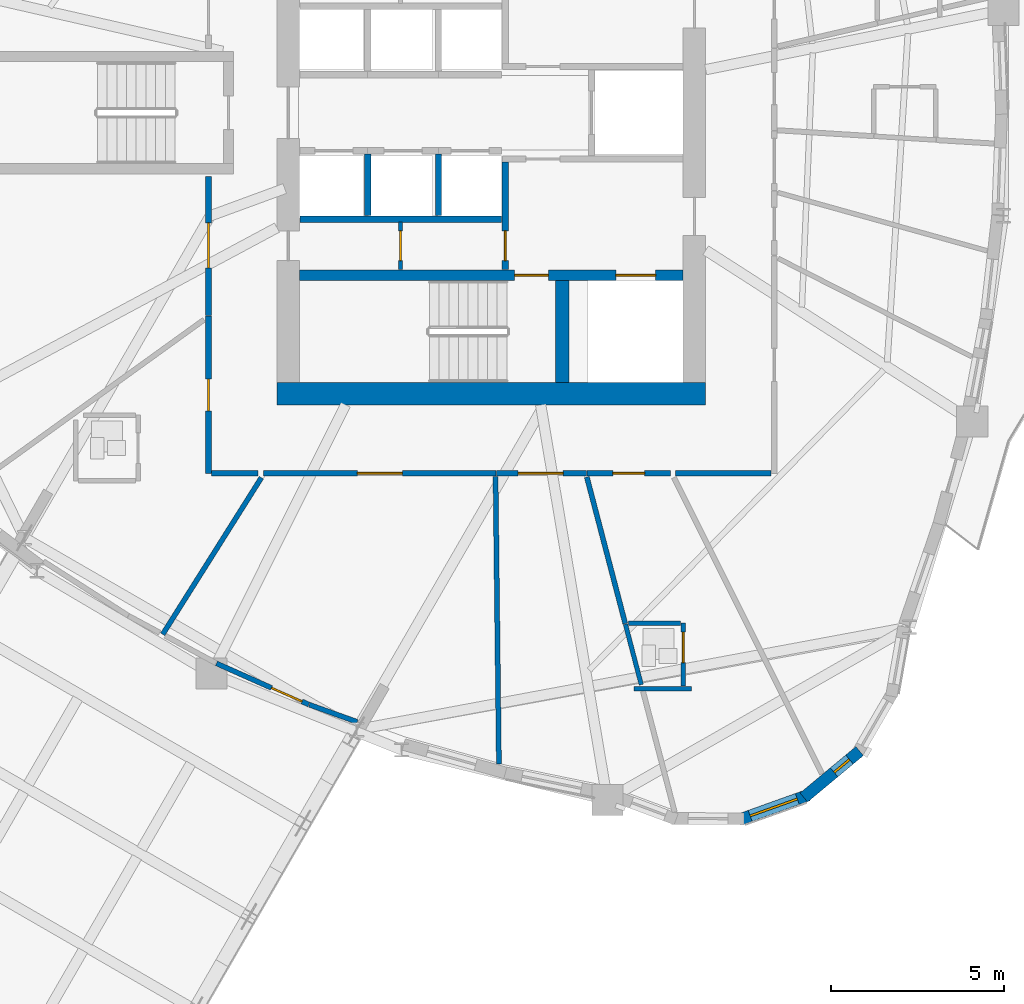
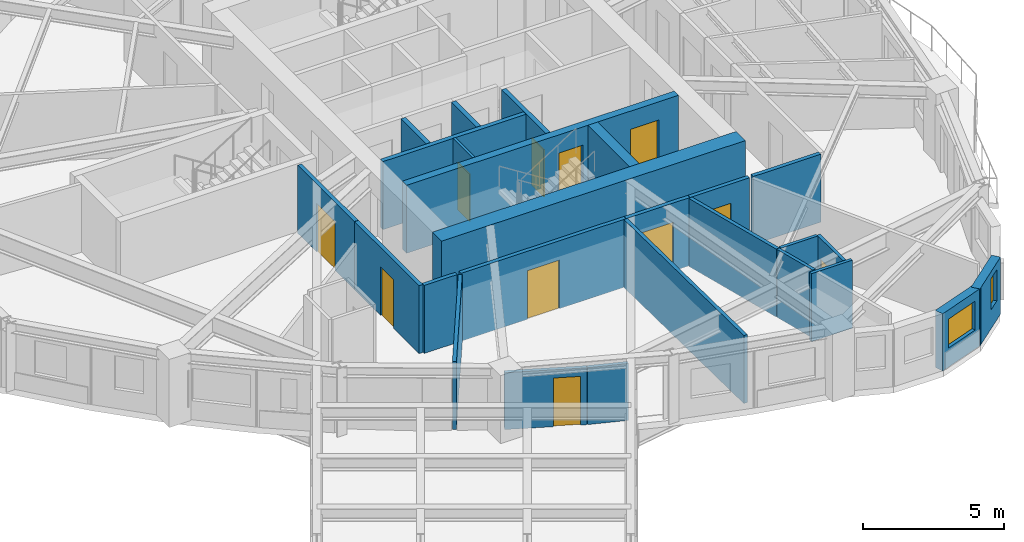
# One storey, part 6 of 17: 26 walls, 11 doors, 2 windows, 13 openings.
"""IFC4 building model written with IfcOpenShell, lengths in metres."""

from ifc_helpers import new_model, si_unit, direction, frame, frame_2d, origin, place, context, subcontext, project, spatial, rectangle, extrude, source, transform, mapped, material, layer, layer_set, type_object, element, fill, save


model = new_model("IFC4")

# Units and contexts
model_context = context("Model", 3, precision=1e-05, world=origin(), true_north=direction((0.0, 1.0)))
body_context = subcontext(model_context, "Body", "Model", "MODEL_VIEW")
ifc_project = project(units=[si_unit("LENGTHUNIT", "METRE"), si_unit("AREAUNIT", "SQUARE_METRE"), si_unit("VOLUMEUNIT", "CUBIC_METRE"), si_unit("PLANEANGLEUNIT", "RADIAN"), si_unit("MASSUNIT", "GRAM", prefix="KILO")], contexts=[model_context])

# Site, building, storey
site_placement = place(None, origin())
site = spatial("IfcSite", under=ifc_project, at=site_placement, CompositionType="ELEMENT")
building_placement = place(site_placement, origin())
building = spatial("IfcBuilding", under=site, at=building_placement, Name="Qafzar Sky-Pleat Residences", CompositionType="ELEMENT")
storey_placement = place(building_placement, frame((0.0, 0.0, 108.800048828125)))
storey = spatial("IfcBuildingStorey", under=building, at=storey_placement, Name="L32", CompositionType="ELEMENT", Elevation=108.800048828125)

# Wall, opening, door
ifc_material_1 = material(Name="Acoustic gypsum plasterboard partition", Category="gypsum")
ifc_layer_1 = layer(ifc_material_1, 0.159912109375)
ifc_layer_set_1 = layer_set([ifc_layer_1], Name="Acoustic gypsum plasterboard partition")
wall_type_1 = type_object("IfcWallType", Name="PART-COR-160", PredefinedType="PARTITIONING", material=ifc_layer_set_1)
wall_1_placement = place(storey_placement, frame((30.486083984375, 15.570068359375, 0.0), z_axis=(0.0, 0.0, 1.0), x_axis=(-1.0, 0.0, 0.0)))
wall_1 = element("IfcWall", 1, at=wall_1_placement, inside=storey, type_object=wall_type_1, Name="L32 Partition Wall PART-L32-PW-002", PredefinedType="PARTITIONING", context=body_context, shape_type="SweptSolid", body=[
    extrude(rectangle(XDim=6.72509765625, YDim=0.159912109375, at=frame_2d((3.362548828125, 0.0))), origin(), (0.0, 0.0, 1.0), 2.93505859375),
])
opening_1_placement = place(wall_1_placement, frame((2.71142578125, 0.0, 0.0)))
opening_1 = element("IfcOpeningElement", 2, at=opening_1_placement, cuts=wall_1, Name="Opening ID-05", PredefinedType="OPENING", context=body_context, shape_type="SweptSolid", body=[
    extrude(rectangle(XDim=1.300048828125, YDim=2.10009765625, at=frame_2d((0.64990234375, 1.050048828125))), frame((0.0, 0.08984375, 0.0), z_axis=(0.0, -1.0, 0.0), x_axis=(1.0, 0.0, 0.0)), (0.0, 0.0, 1.0), 0.179931640625),
])
ifc_material_2 = material(Name="Timber-faced fire door", Category="wood")
door_type_1 = type_object("IfcDoorType", Name="DR-LNG-1300", OperationType="DOUBLE_DOOR_SINGLE_SWING", PredefinedType="DOOR", material=ifc_material_2)
shared_shape_1 = source(origin(), body_context, "Body", "SweptSolid", [
    extrude(rectangle(XDim=1.300048828125, YDim=2.10009765625, at=frame_2d((0.64990234375, 1.050048828125))), frame((0.0, 0.02490234375, 0.0), z_axis=(0.0, -1.0, 0.0), x_axis=(1.0, 0.0, 0.0)), (0.0, 0.0, 1.0), 0.050048828125),
])
door_1_placement = place(opening_1_placement, origin())
door_1 = element("IfcDoor", 3, at=door_1_placement, inside=storey, type_object=door_type_1, Name="L32 Co-Living Lounge Door", OperationType="DOUBLE_DOOR_SINGLE_SWING", OverallHeight=2.10009765625, OverallWidth=1.300048828125, PredefinedType="DOOR", context=body_context, shape_type="MappedRepresentation", body=[
    mapped(shared_shape_1, transform((0.0, 0.0, 0.0), x_axis=(1.0, 0.0, 0.0), y_axis=(0.0, 1.0, 0.0), z_axis=(0.0, 0.0, 1.0), scale=1.0)),
])
fill(opening_1, door_1)

wall_2_placement = place(storey_placement, frame((22.169921875, 15.570068359375, 0.0), z_axis=(0.0, 0.0, 1.0), x_axis=(0.0, 1.0, 0.0)))
wall_2 = element("IfcWall", 4, at=wall_2_placement, inside=storey, type_object=wall_type_1, Name="L32 Partition Wall PART-L32-PW-005", PredefinedType="PARTITIONING", context=body_context, shape_type="SweptSolid", body=[
    extrude(rectangle(XDim=4.554931640625, YDim=0.159912109375, at=frame_2d((2.27734375, 0.0))), origin(), (0.0, 0.0, 1.0), 2.93505859375),
])
opening_2_placement = place(wall_2_placement, frame((1.80810546875, 0.0, 0.0)))
opening_2 = element("IfcOpeningElement", 5, at=opening_2_placement, cuts=wall_2, Name="Opening ID-04", PredefinedType="OPENING", context=body_context, shape_type="SweptSolid", body=[
    extrude(rectangle(XDim=0.919921875, YDim=2.10009765625, at=frame_2d((0.4599609375, 1.050048828125))), frame((0.0, 0.08984375, 0.0), z_axis=(0.0, -1.0, 0.0), x_axis=(1.0, 0.0, 0.0)), (0.0, 0.0, 1.0), 0.179931640625),
])
door_type_2 = type_object("IfcDoorType", Name="DR-BED-920", OperationType="NOTDEFINED", PredefinedType="DOOR", material=ifc_material_2)
shared_shape_2 = source(origin(), body_context, "Body", "SweptSolid", [
    extrude(rectangle(XDim=0.919921875, YDim=2.10009765625, at=frame_2d((0.4599609375, 1.050048828125))), frame((0.0, 0.02490234375, 0.0), z_axis=(0.0, -1.0, 0.0), x_axis=(1.0, 0.0, 0.0)), (0.0, 0.0, 1.0), 0.050048828125),
])
door_2_placement = place(opening_2_placement, origin())
door_2 = element("IfcDoor", 6, at=door_2_placement, inside=storey, type_object=door_type_2, Name="L32 Co-Living Bedroom 7 Door", OperationType="SINGLE_SWING_LEFT", OverallHeight=2.10009765625, OverallWidth=0.919921875, PredefinedType="DOOR", context=body_context, shape_type="MappedRepresentation", body=[
    mapped(shared_shape_2, transform((0.0, 0.0, 0.0), x_axis=(1.0, 0.0, 0.0), y_axis=(0.0, 1.0, 0.0), z_axis=(0.0, 0.0, 1.0), scale=1.0)),
])
fill(opening_2, door_2)

wall_3_placement = place(storey_placement, frame((22.169921875, 20.139892578125, 0.0), z_axis=(0.0, 0.0, 1.0), x_axis=(0.0, 1.0, 0.0)))
wall_3 = element("IfcWall", 7, at=wall_3_placement, inside=storey, type_object=wall_type_1, Name="L32 Partition Wall PART-L32-PW-006", PredefinedType="PARTITIONING", context=body_context, shape_type="SweptSolid", body=[
    extrude(rectangle(XDim=4.010009765625, YDim=0.159912109375, at=frame_2d((2.0048828125, 0.0))), origin(), (0.0, 0.0, 1.0), 2.93505859375),
])
opening_3_placement = place(wall_3_placement, frame((1.37548828125, 0.0, 0.0)))
opening_3 = element("IfcOpeningElement", 8, at=opening_3_placement, cuts=wall_3, Name="Opening ID-05", PredefinedType="OPENING", context=body_context, shape_type="SweptSolid", body=[
    extrude(rectangle(XDim=1.300048828125, YDim=2.10009765625, at=frame_2d((0.64990234375, 1.050048828125))), frame((0.0, 0.08984375, 0.0), z_axis=(0.0, -1.0, 0.0), x_axis=(1.0, 0.0, 0.0)), (0.0, 0.0, 1.0), 0.179931640625),
])
door_3_placement = place(opening_3_placement, origin())
door_3 = element("IfcDoor", 9, at=door_3_placement, inside=storey, type_object=door_type_1, Name="L32 Academic Seminar Room Door", OperationType="DOUBLE_DOOR_SINGLE_SWING", OverallHeight=2.10009765625, OverallWidth=1.300048828125, PredefinedType="DOOR", context=body_context, shape_type="MappedRepresentation", body=[
    mapped(shared_shape_1, transform((0.0, 0.0, 0.0), x_axis=(1.0, 0.0, 0.0), y_axis=(0.0, 1.0, 0.0), z_axis=(0.0, 0.0, 1.0), scale=1.0)),
])
fill(opening_3, door_3)

wall_4_placement = place(storey_placement, frame((33.09912109375, 15.570068359375, 0.0), z_axis=(0.0, 0.0, 1.0), x_axis=(-1.0, 0.0, 0.0)))
wall_4 = element("IfcWall", 10, at=wall_4_placement, inside=storey, type_object=wall_type_1, Name="L32 Partition Wall PART-L32-PW-010", PredefinedType="PARTITIONING", context=body_context, shape_type="SweptSolid", body=[
    extrude(rectangle(XDim=2.59814453125, YDim=0.159912109375, at=frame_2d((1.299072265625, 0.0))), origin(), (0.0, 0.0, 1.0), 2.93505859375),
])
opening_4_placement = place(wall_4_placement, frame((0.67138671875, 0.0, 0.0)))
opening_4 = element("IfcOpeningElement", 11, at=opening_4_placement, cuts=wall_4, Name="Opening ID-05", PredefinedType="OPENING", context=body_context, shape_type="SweptSolid", body=[
    extrude(rectangle(XDim=1.300048828125, YDim=2.10009765625, at=frame_2d((0.64990234375, 1.050048828125))), frame((0.0, 0.08984375, 0.0), z_axis=(0.0, -1.0, 0.0), x_axis=(1.0, 0.0, 0.0)), (0.0, 0.0, 1.0), 0.179931640625),
])
door_4_placement = place(opening_4_placement, origin())
door_4 = element("IfcDoor", 12, at=door_4_placement, inside=storey, type_object=door_type_1, Name="L32 Communal Kitchen Door", OperationType="DOUBLE_DOOR_SINGLE_SWING", OverallHeight=2.10009765625, OverallWidth=1.300048828125, PredefinedType="DOOR", context=body_context, shape_type="MappedRepresentation", body=[
    mapped(shared_shape_1, transform((0.0, 0.0, 0.0), x_axis=(1.0, 0.0, 0.0), y_axis=(0.0, 1.0, 0.0), z_axis=(0.0, 0.0, 1.0), scale=1.0)),
])
fill(opening_4, door_4)

wall_5_placement = place(storey_placement, frame((35.535888671875, 15.570068359375, 0.0), z_axis=(0.0, 0.0, 1.0), x_axis=(-1.0, 0.0, 0.0)))
wall_5 = element("IfcWall", 13, at=wall_5_placement, inside=storey, type_object=wall_type_1, Name="L32 Partition Wall PART-L32-PW-013", PredefinedType="PARTITIONING", context=body_context, shape_type="SweptSolid", body=[
    extrude(rectangle(XDim=2.421875, YDim=0.159912109375, at=frame_2d((1.2109375, 0.0))), origin(), (0.0, 0.0, 1.0), 2.93505859375),
])
opening_5_placement = place(wall_5_placement, frame((0.75, 0.0, 0.0)))
opening_5 = element("IfcOpeningElement", 14, at=opening_5_placement, cuts=wall_5, Name="Opening ID-04", PredefinedType="OPENING", context=body_context, shape_type="SweptSolid", body=[
    extrude(rectangle(XDim=0.919921875, YDim=2.10009765625, at=frame_2d((0.4599609375, 1.050048828125))), frame((0.0, 0.08984375, 0.0), z_axis=(0.0, -1.0, 0.0), x_axis=(1.0, 0.0, 0.0)), (0.0, 0.0, 1.0), 0.179931640625),
])
door_5_placement = place(opening_5_placement, origin())
door_5 = element("IfcDoor", 15, at=door_5_placement, inside=storey, type_object=door_type_2, Name="L32 Co-Living Bedroom 8 Door", OperationType="SINGLE_SWING_LEFT", OverallHeight=2.10009765625, OverallWidth=0.919921875, PredefinedType="DOOR", context=body_context, shape_type="MappedRepresentation", body=[
    mapped(shared_shape_2, transform((0.0, 0.0, 0.0), x_axis=(1.0, 0.0, 0.0), y_axis=(0.0, 1.0, 0.0), z_axis=(0.0, 0.0, 1.0), scale=1.0)),
])
fill(opening_5, door_5)

# Walls
wall_6_placement = place(storey_placement, frame((35.68017578125, 15.570068359375, 0.0), z_axis=(0.0, 0.0, 1.0), x_axis=(1.0, 0.0, 0.0)))
element("IfcWall", 16, at=wall_6_placement, inside=storey, type_object=wall_type_1, Name="L32 Partition Wall PART-L32-PW-051", PredefinedType="PARTITIONING", context=body_context, shape_type="SweptSolid", body=[
    extrude(rectangle(XDim=2.76171875, YDim=0.159912109375, at=frame_2d((1.380859375, 0.0))), origin(), (0.0, 0.0, 1.0), 2.93505859375),
])
wall_7_placement = place(storey_placement, frame((22.258056640625, 15.570068359375, 0.0), z_axis=(0.0, 0.0, 1.0), x_axis=(1.0, 0.0, 0.0)))
element("IfcWall", 17, at=wall_7_placement, inside=storey, type_object=wall_type_1, Name="L32 Partition Wall PART-L32-PW-070", PredefinedType="PARTITIONING", context=body_context, shape_type="SweptSolid", body=[
    extrude(rectangle(XDim=1.34375, YDim=0.159912109375, at=frame_2d((0.671875, 0.0))), origin(), (0.0, 0.0, 1.0), 2.93505859375),
])

# Wall, opening, door
ifc_material_3 = material(Name="Concrete blockwork partition", Category="masonry")
ifc_layer_2 = layer(ifc_material_3, 0.179931640625)
ifc_layer_set_2 = layer_set([ifc_layer_2], Name="Concrete blockwork partition")
wall_type_2 = type_object("IfcWallType", Name="PART-SHAFT-180", PredefinedType="PARTITIONING", material=ifc_layer_set_2)
wall_8_placement = place(storey_placement, frame((30.75, 21.4599609375, 0.0), z_axis=(0.0, 0.0, 1.0), x_axis=(0.0, 1.0, 0.0)))
wall_8 = element("IfcWall", 18, at=wall_8_placement, inside=storey, type_object=wall_type_2, Name="L32 Partition Wall PART-L32-FFL1-W", PredefinedType="PARTITIONING", context=body_context, shape_type="SweptSolid", body=[
    extrude(rectangle(XDim=3.110107421875, YDim=0.179931640625, at=frame_2d((1.55517578125, 0.0))), origin(), (0.0, 0.0, 1.0), 2.93505859375),
])
opening_6_placement = place(wall_8_placement, frame((0.260009765625, 0.0, 0.0)))
opening_6 = element("IfcOpeningElement", 19, at=opening_6_placement, cuts=wall_8, Name="Opening ID-09", PredefinedType="OPENING", context=body_context, shape_type="SweptSolid", body=[
    extrude(rectangle(XDim=0.860107421875, YDim=2.050048828125, at=frame_2d((0.43017578125, 1.02490234375))), frame((0.0, 0.10009765625, 0.0), z_axis=(0.0, -1.0, 0.0), x_axis=(1.0, 0.0, 0.0)), (0.0, 0.0, 1.0), 0.199951171875),
])
door_type_3 = type_object("IfcDoorType", Name="DR-SVC-860", OperationType="NOTDEFINED", PredefinedType="DOOR", material=ifc_material_2)
shared_shape_3 = source(origin(), body_context, "Body", "SweptSolid", [
    extrude(rectangle(XDim=0.860107421875, YDim=2.050048828125, at=frame_2d((0.43017578125, 1.02490234375))), frame((0.0, 0.02490234375, 0.0), z_axis=(0.0, -1.0, 0.0), x_axis=(1.0, 0.0, 0.0)), (0.0, 0.0, 1.0), 0.050048828125),
])
door_6_placement = place(opening_6_placement, origin())
door_6 = element("IfcDoor", 20, at=door_6_placement, inside=storey, type_object=door_type_3, Name="L32 South Core Cupboard Door", OperationType="SINGLE_SWING_LEFT", OverallHeight=2.050048828125, OverallWidth=0.860107421875, PredefinedType="DOOR", context=body_context, shape_type="MappedRepresentation", body=[
    mapped(shared_shape_3, transform((0.0, 0.0, 0.0), x_axis=(1.0, 0.0, 0.0), y_axis=(0.0, 1.0, 0.0), z_axis=(0.0, 0.0, 1.0), scale=1.0)),
])
fill(opening_6, door_6)

# Walls
wall_9_placement = place(storey_placement, frame((24.81005859375, 22.919921875, 0.0), z_axis=(0.0, 0.0, 1.0), x_axis=(1.0, 0.0, 0.0)))
element("IfcWall", 21, at=wall_9_placement, inside=storey, type_object=wall_type_2, Name="L32 Partition Wall PART-L32-P13-S", PredefinedType="PARTITIONING", context=body_context, shape_type="SweptSolid", body=[
    extrude(rectangle(XDim=5.83984375, YDim=0.179931640625, at=frame_2d((2.919921875, 0.0))), origin(), (0.0, 0.0, 1.0), 2.93505859375),
])
for number, where, z_axis, x_axis, name in (
    (22, (26.77490234375, 23.02001953125, 0.0), (0.0, 0.0, 1.0), (0.0, 1.0, 0.0), "L32 Partition Wall PART-L32-P13-DIV-1"),
    (23, (28.824951171875, 23.02001953125, 0.0), (0.0, 0.0, 1.0), (0.0, 1.0, 0.0), "L32 Partition Wall PART-L32-P13-DIV-2"),
):
    element("IfcWall", number, at=place(storey_placement, frame(where, z_axis=z_axis, x_axis=x_axis)), inside=storey, type_object=wall_type_2, Name=name, PredefinedType="PARTITIONING", context=body_context, shape_type="SweptSolid", body=[
        extrude(rectangle(XDim=1.780029296875, YDim=0.179931640625, at=frame_2d((0.89013671875, 0.0))), origin(), (0.0, 0.0, 1.0), 2.93505859375),
    ])

# Wall, opening, door
ifc_material_4 = material(Name="Gypsum plasterboard partition", Category="gypsum")
ifc_layer_3 = layer(ifc_material_4, 0.114990234375)
ifc_layer_set_3 = layer_set([ifc_layer_3], Name="Gypsum plasterboard partition")
wall_type_3 = type_object("IfcWallType", Name="PART-SVC-115", PredefinedType="PARTITIONING", material=ifc_layer_set_3)
wall_10_placement = place(storey_placement, frame((27.72509765625, 21.4599609375, 0.0), z_axis=(0.0, 0.0, 1.0), x_axis=(0.0, 1.0, 0.0)))
wall_10 = element("IfcWall", 24, at=wall_10_placement, inside=storey, type_object=wall_type_3, Name="L32 Partition Wall PART-L32-KB-SW", PredefinedType="PARTITIONING", context=body_context, shape_type="SweptSolid", body=[
    extrude(rectangle(XDim=1.380126953125, YDim=0.114990234375, at=frame_2d((0.68994140625, 0.0))), origin(), (0.0, 0.0, 1.0), 2.93505859375),
])
opening_7_placement = place(wall_10_placement, frame((0.260009765625, 0.0, 0.0)))
opening_7 = element("IfcOpeningElement", 25, at=opening_7_placement, cuts=wall_10, Name="Opening ID-09", PredefinedType="OPENING", context=body_context, shape_type="SweptSolid", body=[
    extrude(rectangle(XDim=0.860107421875, YDim=2.050048828125, at=frame_2d((0.43017578125, 1.02490234375))), frame((0.0, 0.0673828125, 0.0), z_axis=(0.0, -1.0, 0.0), x_axis=(1.0, 0.0, 0.0)), (0.0, 0.0, 1.0), 0.135009765625),
])
door_7_placement = place(opening_7_placement, origin())
door_7 = element("IfcDoor", 26, at=door_7_placement, inside=storey, type_object=door_type_3, Name="L32 BMS Metering Cupboard Door", OperationType="SINGLE_SWING_LEFT", OverallHeight=2.050048828125, OverallWidth=0.860107421875, PredefinedType="DOOR", context=body_context, shape_type="MappedRepresentation", body=[
    mapped(shared_shape_3, transform((0.0, 0.0, 0.0), x_axis=(1.0, 0.0, 0.0), y_axis=(0.0, 1.0, 0.0), z_axis=(0.0, 0.0, 1.0), scale=1.0)),
])
fill(opening_7, door_7)

ifc_layer_4 = layer(ifc_material_1, 0.14501953125)
ifc_layer_set_4 = layer_set([ifc_layer_4], Name="Acoustic gypsum plasterboard partition")
wall_type_4 = type_object("IfcWallType", Name="PART-UNIT-145", PredefinedType="PARTITIONING", material=ifc_layer_set_4)
wall_11_placement = place(storey_placement, frame((25.071044921875, 8.884033203125, 0.0), z_axis=(0.0, 0.0, 1.0), x_axis=(-0.913404708383, 0.407052623997, 0.0)))
wall_11 = element("IfcWall", 27, at=wall_11_placement, inside=storey, type_object=wall_type_4, Name="L32 Partition Wall PART-L32-PW-008", PredefinedType="PARTITIONING", context=body_context, shape_type="SweptSolid", body=[
    extrude(rectangle(XDim=2.92333984375, YDim=0.14501953125, at=frame_2d((1.461669921875, 0.0))), origin(), (0.0, 0.0, 1.0), 2.452880859375),
])
opening_8_placement = place(wall_11_placement, frame((0.219970703125, 0.0, 0.0)))
opening_8 = element("IfcOpeningElement", 28, at=opening_8_placement, cuts=wall_11, Name="Opening ID-06", PredefinedType="OPENING", context=body_context, shape_type="SweptSolid", body=[
    extrude(rectangle(XDim=0.9599609375, YDim=2.10009765625, at=frame_2d((0.47998046875, 1.050048828125))), frame((0.0, 0.08251953125, 0.0), z_axis=(0.0, -1.0, 0.0), x_axis=(1.0, 0.0, 0.0)), (0.0, 0.0, 1.0), 0.1650390625),
])
door_type_4 = type_object("IfcDoorType", Name="DR-STD-960", OperationType="NOTDEFINED", PredefinedType="DOOR", material=ifc_material_2)
shared_shape_4 = source(origin(), body_context, "Body", "SweptSolid", [
    extrude(rectangle(XDim=0.9599609375, YDim=2.10009765625, at=frame_2d((0.47998046875, 1.050048828125))), frame((0.0, 0.02490234375, 0.0), z_axis=(0.0, -1.0, 0.0), x_axis=(1.0, 0.0, 0.0)), (0.0, 0.0, 1.0), 0.050048828125),
])
door_8_placement = place(opening_8_placement, origin())
door_8 = element("IfcDoor", 29, at=door_8_placement, inside=storey, type_object=door_type_4, Name="L32 Sky-Bar Reading Library Door", OperationType="SINGLE_SWING_LEFT", OverallHeight=2.10009765625, OverallWidth=0.9599609375, PredefinedType="DOOR", context=body_context, shape_type="MappedRepresentation", body=[
    mapped(shared_shape_4, transform((0.0, 0.0, 0.0), x_axis=(1.0, 0.0, 0.0), y_axis=(0.0, 1.0, 0.0), z_axis=(0.0, 0.0, 1.0), scale=1.0)),
])
fill(opening_8, door_8)

# Walls
wall_12_placement = place(storey_placement, frame((30.471923828125, 15.481201171875, 0.0), z_axis=(0.0, 0.0, 1.0), x_axis=(0.011623708307, -0.999932442421, 0.0)))
element("IfcWall", 30, at=wall_12_placement, inside=storey, type_object=wall_type_4, Name="L32 Partition Wall PART-L32-PW-038", PredefinedType="PARTITIONING", context=body_context, shape_type="SweptSolid", body=[
    extrude(rectangle(XDim=8.3173828125, YDim=0.14501953125, at=frame_2d((4.15869140625, 0.0))), origin(), (0.0, 0.0, 1.0), 2.93505859375),
])
wall_13_placement = place(storey_placement, frame((20.844970703125, 10.9140625, 0.0), z_axis=(0.0, 0.0, 1.0), x_axis=(0.533007953382, 0.846110230189, 0.0)))
element("IfcWall", 31, at=wall_13_placement, inside=storey, type_object=wall_type_4, Name="L32 Partition Wall PART-L32-PW-044", PredefinedType="PARTITIONING", context=body_context, shape_type="SweptSolid", body=[
    extrude(rectangle(XDim=5.3544921875, YDim=0.14501953125, at=frame_2d((2.67724609375, 0.0))), origin(), (0.0, 0.0, 1.0), 2.93505859375),
])
wall_14_placement = place(storey_placement, frame((33.11181640625, 15.4638671875, 0.0), z_axis=(0.0, 0.0, 1.0), x_axis=(0.253558008984, -0.967320182814, 0.0)))
element("IfcWall", 32, at=wall_14_placement, inside=storey, type_object=wall_type_4, Name="L32 Partition Wall PART-L32-PW-045", PredefinedType="PARTITIONING", context=body_context, shape_type="SweptSolid", body=[
    extrude(rectangle(XDim=4.382080078125, YDim=0.14501953125, at=frame_2d((2.19091796875, 0.0))), origin(), (0.0, 0.0, 1.0), 2.93505859375),
])
wall_15_placement = place(storey_placement, frame((25.085205078125, 8.87890625, 0.0), z_axis=(0.0, 0.0, 1.0), x_axis=(0.941166260093, -0.337943887151, 0.0)))
element("IfcWall", 33, at=wall_15_placement, inside=storey, type_object=wall_type_4, Name="L32 Partition Wall PART-L32-PW-076", PredefinedType="PARTITIONING", context=body_context, shape_type="SweptSolid", body=[
    extrude(rectangle(XDim=1.4716796875, YDim=0.14501953125, at=frame_2d((0.73583984375, 0.0))), origin(), (0.0, 0.0, 1.0), 2.452880859375),
])

# Wall, opening, door
ifc_material_5 = material(Name="Moisture-resistant gypsum partition", Category="gypsum")
ifc_layer_5 = layer(ifc_material_5, 0.1298828125)
ifc_layer_set_5 = layer_set([ifc_layer_5], Name="Moisture-resistant gypsum partition")
wall_type_5 = type_object("IfcWallType", Name="PART-WET-130", PredefinedType="PARTITIONING", material=ifc_layer_set_5)
wall_16_placement = place(storey_placement, frame((35.89892578125, 9.4130859375, 0.0), z_axis=(0.0, 0.0, 1.0), x_axis=(0.0, 1.0, 0.0)))
wall_16 = element("IfcWall", 34, at=wall_16_placement, inside=storey, type_object=wall_type_5, Name="L32 Partition Wall PART-L32-PW-021", PredefinedType="PARTITIONING", context=body_context, shape_type="SweptSolid", body=[
    extrude(rectangle(XDim=1.826904296875, YDim=0.1298828125, at=frame_2d((0.91357421875, 0.0))), origin(), (0.0, 0.0, 1.0), 2.93505859375),
])
opening_9_placement = place(wall_16_placement, frame((0.684814453125, 0.0, 0.0)))
opening_9 = element("IfcOpeningElement", 35, at=opening_9_placement, cuts=wall_16, Name="Opening ID-07", PredefinedType="OPENING", context=body_context, shape_type="SweptSolid", body=[
    extrude(rectangle(XDim=0.8798828125, YDim=2.050048828125, at=frame_2d((0.43994140625, 1.02490234375))), frame((0.0, 0.074951171875, 0.0), z_axis=(0.0, -1.0, 0.0), x_axis=(1.0, 0.0, 0.0)), (0.0, 0.0, 1.0), 0.14990234375),
])
door_type_5 = type_object("IfcDoorType", Name="DR-WET-880", OperationType="NOTDEFINED", PredefinedType="DOOR", material=ifc_material_2)
shared_shape_5 = source(origin(), body_context, "Body", "SweptSolid", [
    extrude(rectangle(XDim=0.8798828125, YDim=2.050048828125, at=frame_2d((0.43994140625, 1.02490234375))), frame((0.0, 0.02490234375, 0.0), z_axis=(0.0, -1.0, 0.0), x_axis=(1.0, 0.0, 0.0)), (0.0, 0.0, 1.0), 0.050048828125),
])
door_9_placement = place(opening_9_placement, origin())
door_9 = element("IfcDoor", 36, at=door_9_placement, inside=storey, type_object=door_type_5, Name="L32 En-suite Bathroom 8 Door", OperationType="SINGLE_SWING_RIGHT", OverallHeight=2.050048828125, OverallWidth=0.8798828125, PredefinedType="DOOR", context=body_context, shape_type="MappedRepresentation", body=[
    mapped(shared_shape_5, transform((0.0, 0.0, 0.0), x_axis=(1.0, 0.0, 0.0), y_axis=(0.0, 1.0, 0.0), z_axis=(0.0, 0.0, 1.0), scale=1.0)),
])
fill(opening_9, door_9)

# Walls
wall_17_placement = place(storey_placement, frame((34.226806640625, 11.21044921875, 0.0), z_axis=(0.0, 0.0, 1.0), x_axis=(0.2534645297, -0.967344681168, 0.0)))
element("IfcWall", 37, at=wall_17_placement, inside=storey, type_object=wall_type_5, Name="L32 Partition Wall PART-L32-PW-055", PredefinedType="PARTITIONING", context=body_context, shape_type="SweptSolid", body=[
    extrude(rectangle(XDim=1.810791015625, YDim=0.1298828125, at=frame_2d((0.9052734375, 0.0))), origin(), (0.0, 0.0, 1.0), 2.93505859375),
])
wall_18_placement = place(storey_placement, frame((34.319091796875, 11.239990234375, 0.0), z_axis=(0.0, 0.0, 1.0), x_axis=(1.0, 0.0, 0.0)))
element("IfcWall", 38, at=wall_18_placement, inside=storey, type_object=wall_type_5, Name="L32 Partition Wall PART-L32-PW-069", PredefinedType="PARTITIONING", context=body_context, shape_type="SweptSolid", body=[
    extrude(rectangle(XDim=1.5068359375, YDim=0.1298828125, at=frame_2d((0.75341796875, 0.0))), origin(), (0.0, 0.0, 1.0), 2.93505859375),
])
wall_19_placement = place(storey_placement, frame((34.47705078125, 9.340087890625, 0.0), z_axis=(0.0, 0.0, 1.0), x_axis=(1.0, 0.0, 0.0)))
element("IfcWall", 39, at=wall_19_placement, inside=storey, type_object=wall_type_5, Name="L32 Partition Wall PART-L32-PW-083", PredefinedType="PARTITIONING", context=body_context, shape_type="SweptSolid", body=[
    extrude(rectangle(XDim=1.661865234375, YDim=0.1298828125, at=frame_2d((0.8310546875, 0.0))), origin(), (0.0, 0.0, 1.0), 2.93505859375),
])

# Wall, opening, window
ifc_material_6 = material(Name="Precast concrete C40/50 with honed Riyadh limestone", Category="concrete")
ifc_layer_6 = layer(ifc_material_6, 0.340087890625)
ifc_layer_set_6 = layer_set([ifc_layer_6], Name="Precast concrete C40/50 with honed Riyadh limestone")
wall_type_6 = type_object("IfcWallType", Name="WALL-EXT-340", PredefinedType="SOLIDWALL", material=ifc_layer_set_6)
wall_20_placement = place(storey_placement, frame((37.529296875, 5.5537109375, 0.0), z_axis=(0.0, 0.0, 1.0), x_axis=(0.941486401639, 0.33705096874, 0.0)))
wall_20 = element("IfcWall", 40, at=wall_20_placement, inside=storey, type_object=wall_type_6, Name="L32 Limestone Facade Wall 19", PredefinedType="SOLIDWALL", context=body_context, shape_type="SweptSolid", body=[
    extrude(rectangle(XDim=2.09912109375, YDim=0.340087890625, at=frame_2d((1.049560546875, 0.0))), origin(), (0.0, 0.0, 1.0), 2.46484375),
])
opening_10_placement = place(wall_20_placement, frame((0.324462890625, 0.0, 0.820068359375)))
opening_10 = element("IfcOpeningElement", 41, at=opening_10_placement, cuts=wall_20, Name="Opening WN-15", PredefinedType="OPENING", context=body_context, shape_type="SweptSolid", body=[
    extrude(rectangle(XDim=1.449951171875, YDim=1.25, at=frame_2d((0.72509765625, 0.625))), frame((0.0, 0.18017578125, 0.0), z_axis=(0.0, -1.0, 0.0), x_axis=(1.0, 0.0, 0.0)), (0.0, 0.0, 1.0), 0.360107421875),
])
ifc_material_7 = material(Name="Solar-control low-E glass in bronze aluminium frame", Category="glass")
window_type_1 = type_object("IfcWindowType", Name="WIN-15", PartitioningType="SINGLE_PANEL", PredefinedType="WINDOW", material=ifc_material_7)
shared_shape_6 = source(origin(), body_context, "Body", "SweptSolid", [
    extrude(rectangle(XDim=1.449951171875, YDim=1.25, at=frame_2d((0.72509765625, 0.625))), frame((0.0, 0.030029296875, 0.0), z_axis=(0.0, -1.0, 0.0), x_axis=(1.0, 0.0, 0.0)), (0.0, 0.0, 1.0), 0.06005859375),
])
window_1_placement = place(opening_10_placement, origin())
window_1 = element("IfcWindow", 42, at=window_1_placement, inside=storey, type_object=window_type_1, Name="L32 Punched Facade Window 19", OverallHeight=1.25, OverallWidth=1.449951171875, PartitioningType="SINGLE_PANEL", PredefinedType="WINDOW", context=body_context, shape_type="MappedRepresentation", body=[
    mapped(shared_shape_6, transform((0.0, 0.0, 0.0), x_axis=(1.0, 0.0, 0.0), y_axis=(0.0, 1.0, 0.0), z_axis=(0.0, 0.0, 1.0), scale=1.0)),
])
fill(opening_10, window_1)

wall_21_placement = place(storey_placement, frame((39.388916015625, 6.194580078125, 0.0), z_axis=(0.0, 0.0, 1.0), x_axis=(0.768488123124, 0.639864051669, 0.0)))
wall_21 = element("IfcWall", 43, at=wall_21_placement, inside=storey, type_object=wall_type_6, Name="L32 Limestone Facade Wall 20", PredefinedType="SOLIDWALL", context=body_context, shape_type="SweptSolid", body=[
    extrude(rectangle(XDim=2.099365234375, YDim=0.340087890625, at=frame_2d((1.0498046875, 0.0))), origin(), (0.0, 0.0, 1.0), 2.46484375),
])
opening_11_placement = place(wall_21_placement, frame((1.1376953125, 0.0, 0.820068359375)))
opening_11 = element("IfcOpeningElement", 44, at=opening_11_placement, cuts=wall_21, Name="Opening WN-17", PredefinedType="OPENING", context=body_context, shape_type="SweptSolid", body=[
    extrude(rectangle(XDim=0.580078125, YDim=1.35009765625, at=frame_2d((0.2900390625, 0.675048828125))), frame((0.0, 0.18017578125, 0.0), z_axis=(0.0, -1.0, 0.0), x_axis=(1.0, 0.0, 0.0)), (0.0, 0.0, 1.0), 0.360107421875),
])
window_type_2 = type_object("IfcWindowType", Name="WIN-17", PartitioningType="SINGLE_PANEL", PredefinedType="WINDOW", material=ifc_material_7)
shared_shape_7 = source(origin(), body_context, "Body", "SweptSolid", [
    extrude(rectangle(XDim=0.580078125, YDim=1.35009765625, at=frame_2d((0.2900390625, 0.675048828125))), frame((0.0, 0.030029296875, 0.0), z_axis=(0.0, -1.0, 0.0), x_axis=(1.0, 0.0, 0.0)), (0.0, 0.0, 1.0), 0.06005859375),
])
window_2_placement = place(opening_11_placement, origin())
window_2 = element("IfcWindow", 45, at=window_2_placement, inside=storey, type_object=window_type_2, Name="L32 Punched Facade Window 20-2", OverallHeight=1.35009765625, OverallWidth=0.580078125, PartitioningType="SINGLE_PANEL", PredefinedType="WINDOW", context=body_context, shape_type="MappedRepresentation", body=[
    mapped(shared_shape_7, transform((0.0, 0.0, 0.0), x_axis=(1.0, 0.0, 0.0), y_axis=(0.0, 1.0, 0.0), z_axis=(0.0, 0.0, 1.0), scale=1.0)),
])
fill(opening_11, window_2)

# Wall, openings, doors
ifc_material_8 = material(Name="Concrete C60/75", Category="concrete")
ifc_layer_7 = layer(ifc_material_8, 0.300048828125)
ifc_layer_set_7 = layer_set([ifc_layer_7], Name="Concrete C60/75")
wall_type_7 = type_object("IfcWallType", Name="WALL-SHEAR-300", PredefinedType="SHEAR", material=ifc_layer_set_7)
wall_22_placement = place(storey_placement, frame((24.800048828125, 21.300048828125, 0.0), z_axis=(0.0, 0.0, 1.0), x_axis=(1.0, 0.0, 0.0)))
wall_22 = element("IfcWall", 46, at=wall_22_placement, inside=storey, type_object=wall_type_7, Name="L32 Stair ST1 and FF1 Shaft North Wall", PredefinedType="SHEAR", context=body_context, shape_type="SweptSolid", body=[
    extrude(rectangle(XDim=11.099853515625, YDim=0.300048828125, at=frame_2d((5.5498046875, 0.0))), origin(), (0.0, 0.0, 1.0), 2.93505859375),
])
opening_12_placement = place(wall_22_placement, frame((6.219970703125, 0.0, 0.0)))
opening_12 = element("IfcOpeningElement", 47, at=opening_12_placement, cuts=wall_22, Name="Opening ID-01", PredefinedType="OPENING", context=body_context, shape_type="SweptSolid", body=[
    extrude(rectangle(XDim=0.97998046875, YDim=2.14990234375, at=frame_2d((0.489990234375, 1.074951171875))), frame((0.0, 0.16015625, 0.0), z_axis=(0.0, -1.0, 0.0), x_axis=(1.0, 0.0, 0.0)), (0.0, 0.0, 1.0), 0.320068359375),
])
opening_13_placement = place(wall_22_placement, frame((9.14990234375, 0.0, 0.0)))
opening_13 = element("IfcOpeningElement", 48, at=opening_13_placement, cuts=wall_22, Name="Opening LD-02", PredefinedType="OPENING", context=body_context, shape_type="SweptSolid", body=[
    extrude(rectangle(XDim=1.14990234375, YDim=2.14990234375, at=frame_2d((0.574951171875, 1.074951171875))), frame((0.0, 0.16015625, 0.0), z_axis=(0.0, -1.0, 0.0), x_axis=(1.0, 0.0, 0.0)), (0.0, 0.0, 1.0), 0.320068359375),
])
door_type_6 = type_object("IfcDoorType", Name="DR-STAIR-980", OperationType="NOTDEFINED", PredefinedType="DOOR", material=ifc_material_2)
shared_shape_8 = source(origin(), body_context, "Body", "SweptSolid", [
    extrude(rectangle(XDim=0.97998046875, YDim=2.14990234375, at=frame_2d((0.489990234375, 1.074951171875))), frame((0.0, 0.02490234375, 0.0), z_axis=(0.0, -1.0, 0.0), x_axis=(1.0, 0.0, 0.0)), (0.0, 0.0, 1.0), 0.050048828125),
])
door_10_placement = place(opening_12_placement, origin())
door_10 = element("IfcDoor", 49, at=door_10_placement, inside=storey, type_object=door_type_6, Name="L32 Stair ST1 Fire Door", OperationType="SINGLE_SWING_RIGHT", OverallHeight=2.14990234375, OverallWidth=0.97998046875, PredefinedType="DOOR", context=body_context, shape_type="MappedRepresentation", body=[
    mapped(shared_shape_8, transform((0.0, 0.0, 0.0), x_axis=(1.0, 0.0, 0.0), y_axis=(0.0, 1.0, 0.0), z_axis=(0.0, 0.0, 1.0), scale=1.0)),
])
fill(opening_12, door_10)
ifc_material_9 = material(Name="Stainless steel sliding landing door", Category="steel")
door_type_7 = type_object("IfcDoorType", Name="DR-LIFT-FF", OperationType="DOUBLE_DOOR_SLIDING", PredefinedType="DOOR", material=ifc_material_9)
shared_shape_9 = source(origin(), body_context, "Body", "SweptSolid", [
    extrude(rectangle(XDim=1.14990234375, YDim=2.14990234375, at=frame_2d((0.574951171875, 1.074951171875))), frame((0.0, 0.02490234375, 0.0), z_axis=(0.0, -1.0, 0.0), x_axis=(1.0, 0.0, 0.0)), (0.0, 0.0, 1.0), 0.050048828125),
])
door_11_placement = place(opening_13_placement, origin())
door_11 = element("IfcDoor", 50, at=door_11_placement, inside=storey, type_object=door_type_7, Name="L32 Firefighting Lift FF1 Landing Door", OperationType="DOUBLE_DOOR_SLIDING", OverallHeight=2.14990234375, OverallWidth=1.14990234375, PredefinedType="DOOR", context=body_context, shape_type="MappedRepresentation", body=[
    mapped(shared_shape_9, transform((0.0, 0.0, 0.0), x_axis=(1.0, 0.0, 0.0), y_axis=(0.0, 1.0, 0.0), z_axis=(0.0, 0.0, 1.0), scale=1.0)),
])
fill(opening_13, door_11)

# Walls
ifc_layer_8 = layer(ifc_material_8, 0.39990234375)
ifc_layer_set_8 = layer_set([ifc_layer_8], Name="Concrete C60/75")
wall_type_8 = type_object("IfcWallType", Name="WALL-SHEAR-400", PredefinedType="SHEAR", material=ifc_layer_set_8)
wall_23_placement = place(storey_placement, frame((32.39990234375, 18.199951171875, 0.0), z_axis=(0.0, 0.0, 1.0), x_axis=(0.0, 1.0, 0.0)))
element("IfcWall", 51, at=wall_23_placement, inside=storey, type_object=wall_type_8, Name="L32 Stair ST1 East Dividing Wall", PredefinedType="SHEAR", context=body_context, shape_type="SweptSolid", body=[
    extrude(rectangle(XDim=2.949951171875, YDim=0.39990234375, at=frame_2d((1.47509765625, 0.0))), origin(), (0.0, 0.0, 1.0), 2.93505859375),
])
ifc_layer_9 = layer(ifc_material_8, 0.64990234375)
ifc_layer_set_9 = layer_set([ifc_layer_9], Name="Concrete C60/75")
wall_type_9 = type_object("IfcWallType", Name="WALL-SHEAR-650", PredefinedType="SHEAR", material=ifc_layer_set_9)
wall_24_placement = place(storey_placement, frame((24.14990234375, 17.875, 0.0), z_axis=(0.0, 0.0, 1.0), x_axis=(1.0, 0.0, 0.0)))
element("IfcWall", 52, at=wall_24_placement, inside=storey, type_object=wall_type_9, Name="L32 CORE wall S", PredefinedType="SHEAR", context=body_context, shape_type="SweptSolid", body=[
    extrude(rectangle(XDim=12.400146484375, YDim=0.64990234375, at=frame_2d((6.2001953125, 0.0))), origin(), (0.0, 0.0, 1.0), 2.93505859375),
])

save(model, "model.ifc")
